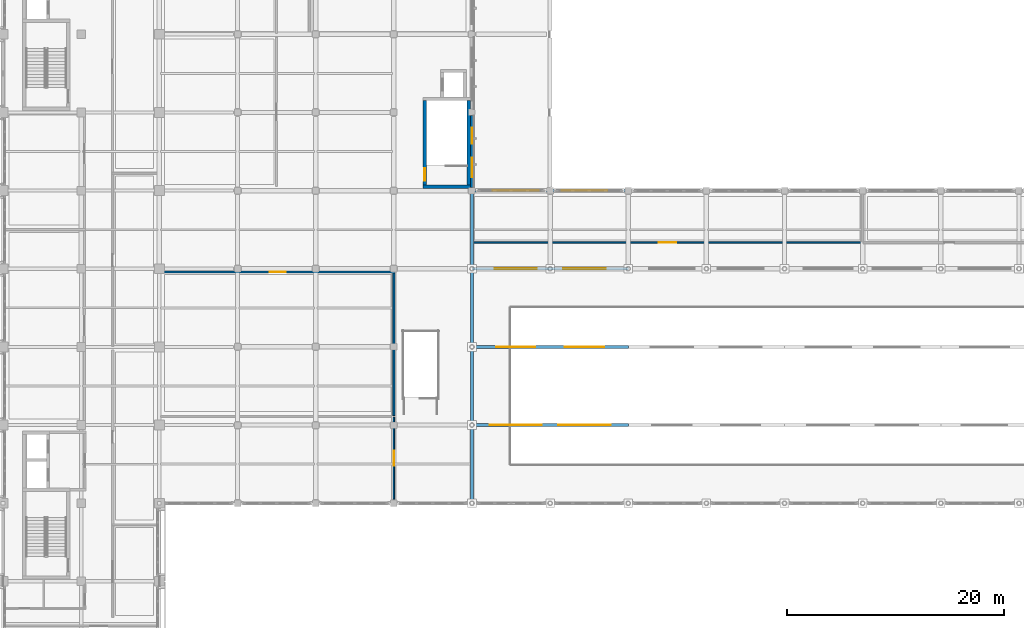
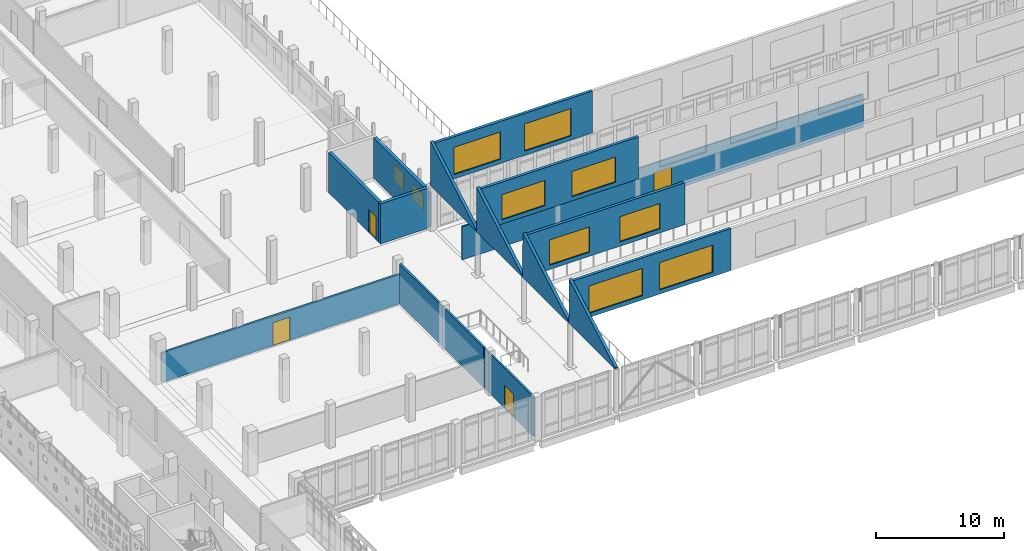
# One storey, part 41 of 62: 16 walls, 10 windows, 4 doors, 14 openings.
"""IFC4 building model written with IfcOpenShell, lengths in metres."""

from ifc_helpers import new_model, si_unit, direction, frame, frame_2d, origin, place, context, subcontext, project, spatial, polyline, rectangle, outline, extrude, material, layer, layer_set, type_object, element, fill, save


model = new_model("IFC4")

# Units and contexts
model_context = context("Model", 3, precision=1e-05, world=origin(), true_north=direction((0.0, 1.0)))
body_context = subcontext(model_context, "Body", "Model", "MODEL_VIEW")
ifc_project = project(units=[si_unit("LENGTHUNIT", "METRE"), si_unit("AREAUNIT", "SQUARE_METRE"), si_unit("VOLUMEUNIT", "CUBIC_METRE"), si_unit("PLANEANGLEUNIT", "RADIAN"), si_unit("MASSUNIT", "GRAM", prefix="KILO")], contexts=[model_context])

# Site, building, storey
site_placement = place(None, origin())
site = spatial("IfcSite", under=ifc_project, at=site_placement, CompositionType="ELEMENT")
building_placement = place(site_placement, origin())
building = spatial("IfcBuilding", under=site, at=building_placement, Name="Valkovuoma Quantum and Materials Research Institute", CompositionType="ELEMENT")
storey_placement = place(building_placement, frame((0.0, 0.0, 13.1201171875)))
storey = spatial("IfcBuildingStorey", under=building, at=storey_placement, Name="L03", CompositionType="ELEMENT", Elevation=13.1201171875)

# Wall
ifc_material_1 = material(Name="Concrete C40/50", Category="concrete")
ifc_layer_1 = layer(ifc_material_1, 0.300048828125)
ifc_layer_set_1 = layer_set([ifc_layer_1], Name="Concrete C40/50")
wall_type_1 = type_object("IfcWallType", Name="Wall-W-COR300", PredefinedType="SHEAR", material=ifc_layer_set_1)
wall_1_placement = place(storey_placement, frame((38.699951171875, 65.14990234375, 0.0), z_axis=(0.0, 0.0, 1.0), x_axis=(1.0, 0.0, 0.0)))
element("IfcWall", 1, at=wall_1_placement, inside=storey, type_object=wall_type_1, Name="L03 core wall 0291", PredefinedType="SHEAR", context=body_context, shape_type="SweptSolid", body=[
    extrude(rectangle(XDim=4.35009765625, YDim=0.300048828125, at=frame_2d((2.175048828125, 0.0))), origin(), (0.0, 0.0, 1.0), 3.809814453125),
])

# Wall, opening, door
wall_2_placement = place(storey_placement, frame((38.85009765625, 65.300048828125, 0.0), z_axis=(0.0, 0.0, 1.0), x_axis=(0.0, 1.0, 0.0)))
wall_2 = element("IfcWall", 2, at=wall_2_placement, inside=storey, type_object=wall_type_1, Name="L03 core wall 0293", PredefinedType="SHEAR", context=body_context, shape_type="SweptSolid", body=[
    extrude(rectangle(XDim=7.800048828125, YDim=0.300048828125, at=frame_2d((3.89990234375, 0.0))), origin(), (0.0, 0.0, 1.0), 3.809814453125),
])
opening_1_placement = place(wall_2_placement, frame((0.39990234375, 0.0, 0.0)))
opening_1 = element("IfcOpeningElement", 3, at=opening_1_placement, cuts=wall_2, Name="Opening SD-046", PredefinedType="OPENING", context=body_context, shape_type="SweptSolid", body=[
    extrude(rectangle(XDim=1.14990234375, YDim=2.199951171875, at=frame_2d((0.574951171875, 1.10009765625))), frame((0.0, 0.16015625, 0.0), z_axis=(0.0, -1.0, 0.0), x_axis=(1.0, 0.0, 0.0)), (0.0, 0.0, 1.0), 0.320068359375),
])
ifc_material_2 = material(Name="Powder-coated steel and acoustic timber door assembly", Category="steel")
door_type_1 = type_object("IfcDoorType", Name="Door-DR-ST60", OperationType="NOTDEFINED", PredefinedType="DOOR", material=ifc_material_2)
door_1_placement = place(opening_1_placement, frame((1.14990234375, 0.0, 0.0), z_axis=(0.0, 0.0, 1.0), x_axis=(-1.0, 0.0, 0.0)))
door_1 = element("IfcDoor", 4, at=door_1_placement, inside=storey, type_object=door_type_1, Name="L03 ST-4 fire door", OperationType="SINGLE_SWING_LEFT", OverallHeight=2.199951171875, OverallWidth=1.14990234375, PredefinedType="DOOR", context=body_context, shape_type="SweptSolid", body=[
    extrude(rectangle(XDim=1.14990234375, YDim=2.199951171875, at=frame_2d((0.574951171875, 1.10009765625))), frame((0.0, 0.02490234375, 0.0), z_axis=(0.0, -1.0, 0.0), x_axis=(1.0, 0.0, 0.0)), (0.0, 0.0, 1.0), 0.050048828125),
])
fill(opening_1, door_1)

# Wall
wall_3_placement = place(storey_placement, frame((42.89990234375, 65.300048828125, 0.0), z_axis=(0.0, 0.0, 1.0), x_axis=(0.0, 1.0, 0.0)))
element("IfcWall", 5, at=wall_3_placement, inside=storey, type_object=wall_type_1, Name="L03 core wall 0294", PredefinedType="SHEAR", context=body_context, shape_type="SweptSolid", body=[
    extrude(rectangle(XDim=7.800048828125, YDim=0.300048828125, at=frame_2d((3.89990234375, 0.0))), origin(), (0.0, 0.0, 1.0), 3.809814453125),
])

# Wall, openings, windows
ifc_material_3 = material(Name="Precast concrete C40/50", Category="concrete")
ifc_layer_2 = layer(ifc_material_3, 0.340087890625)
ifc_layer_set_2 = layer_set([ifc_layer_2], Name="Precast concrete C40/50")
wall_type_2 = type_object("IfcWallType", Name="Wall-W-EXT340", PredefinedType="SOLIDWALL", material=ifc_layer_set_2)
wall_4_placement = place(storey_placement, frame((43.199951171875, 65.090087890625, 0.0), z_axis=(0.0, 0.0, 1.0), x_axis=(0.0, 1.0, 0.0)))
wall_4 = element("IfcWall", 6, at=wall_4_placement, inside=storey, type_object=wall_type_2, Name="L03 exterior wall 0158", PredefinedType="SOLIDWALL", context=body_context, shape_type="SweptSolid", body=[
    extrude(rectangle(XDim=6.619873046875, YDim=0.340087890625, at=frame_2d((3.31005859375, 0.0))), origin(), (0.0, 0.0, 1.0), 3.159912109375),
])
opening_2_placement = place(wall_4_placement, frame((0.95361328125, 0.0, 1.0)))
opening_2 = element("IfcOpeningElement", 7, at=opening_2_placement, cuts=wall_4, Name="Opening WN-CL03", PredefinedType="OPENING", context=body_context, shape_type="SweptSolid", body=[
    extrude(rectangle(XDim=1.800048828125, YDim=1.5, at=frame_2d((0.89990234375, 0.75))), frame((0.0, 0.18017578125, 0.0), z_axis=(0.0, -1.0, 0.0), x_axis=(1.0, 0.0, 0.0)), (0.0, 0.0, 1.0), 0.360107421875),
])
opening_3_placement = place(wall_4_placement, frame((4.016357421875, 0.0, 1.0)))
opening_3 = element("IfcOpeningElement", 8, at=opening_3_placement, cuts=wall_4, Name="Opening WN-CL07", PredefinedType="OPENING", context=body_context, shape_type="SweptSolid", body=[
    extrude(rectangle(XDim=1.5, YDim=1.64990234375, at=frame_2d((0.75, 0.824951171875))), frame((0.0, 0.18017578125, 0.0), z_axis=(0.0, -1.0, 0.0), x_axis=(1.0, 0.0, 0.0)), (0.0, 0.0, 1.0), 0.360107421875),
])
ifc_material_4 = material(Name="Triple low-E argon glazing in thermally broken aluminium frame", Category="aluminium")
window_type_1 = type_object("IfcWindowType", Name="Win-WN-CL03", PartitioningType="SINGLE_PANEL", PredefinedType="WINDOW", material=ifc_material_4)
window_1_placement = place(opening_2_placement, origin())
window_1 = element("IfcWindow", 9, at=window_1_placement, inside=storey, type_object=window_type_1, Name="L03 window 0186", OverallHeight=1.5, OverallWidth=1.800048828125, PartitioningType="SINGLE_PANEL", PredefinedType="WINDOW", context=body_context, shape_type="SweptSolid", body=[
    extrude(rectangle(XDim=1.800048828125, YDim=1.5, at=frame_2d((0.89990234375, 0.75))), frame((0.0, 0.030029296875, 0.0), z_axis=(0.0, -1.0, 0.0), x_axis=(1.0, 0.0, 0.0)), (0.0, 0.0, 1.0), 0.06005859375),
])
fill(opening_2, window_1)
ifc_material_5 = material(Name="Triple low-E argon glazing in thermally broken aluminium frame", Category="aluminium")
window_type_2 = type_object("IfcWindowType", Name="Win-WN-CL07", PartitioningType="SINGLE_PANEL", PredefinedType="WINDOW", material=ifc_material_5)
window_2_placement = place(opening_3_placement, origin())
window_2 = element("IfcWindow", 10, at=window_2_placement, inside=storey, type_object=window_type_2, Name="L03 window 0187", OverallHeight=1.64990234375, OverallWidth=1.5, PartitioningType="SINGLE_PANEL", PredefinedType="WINDOW", context=body_context, shape_type="SweptSolid", body=[
    extrude(rectangle(XDim=1.5, YDim=1.64990234375, at=frame_2d((0.75, 0.824951171875))), frame((0.0, 0.030029296875, 0.0), z_axis=(0.0, -1.0, 0.0), x_axis=(1.0, 0.0, 0.0)), (0.0, 0.0, 1.0), 0.06005859375),
])
fill(opening_3, window_2)

ifc_material_6 = material(Name="Precast concrete C40/50", Category="concrete")
ifc_layer_3 = layer(ifc_material_6, 0.260009765625)
ifc_layer_set_3 = layer_set([ifc_layer_3], Name="Precast concrete C40/50")
wall_type_3 = type_object("IfcWallType", Name="Wall-W-GAB260", PredefinedType="SOLIDWALL", material=ifc_layer_set_3)
wall_5_placement = place(storey_placement, frame((43.199951171875, 43.199951171875, 4.159912109375), z_axis=(0.0, 0.0, 1.0), x_axis=(1.0, 0.0, 0.0)))
wall_5 = element("IfcWall", 11, at=wall_5_placement, inside=storey, type_object=wall_type_3, Name="L03 exterior wall 0400", PredefinedType="SOLIDWALL", context=body_context, shape_type="SweptSolid", body=[
    extrude(rectangle(XDim=14.400146484375, YDim=0.260009765625, at=frame_2d((7.2001953125, 0.0))), origin(), (0.0, 0.0, 1.0), 3.989990234375),
])
opening_4_placement = place(wall_5_placement, frame((1.632080078125, 0.0, 0.39990234375)))
opening_4 = element("IfcOpeningElement", 12, at=opening_4_placement, cuts=wall_5, Name="Opening SKY-03", PredefinedType="OPENING", context=body_context, shape_type="SweptSolid", body=[
    extrude(rectangle(XDim=4.800048828125, YDim=2.60009765625, at=frame_2d((2.39990234375, 1.300048828125))), frame((0.0, 0.14013671875, 0.0), z_axis=(0.0, -1.0, 0.0), x_axis=(1.0, 0.0, 0.0)), (0.0, 0.0, 1.0), 0.280029296875),
])
opening_5_placement = place(wall_5_placement, frame((7.968017578125, 0.0, 0.39990234375)))
opening_5 = element("IfcOpeningElement", 13, at=opening_5_placement, cuts=wall_5, Name="Opening SKY-03", PredefinedType="OPENING", context=body_context, shape_type="SweptSolid", body=[
    extrude(rectangle(XDim=4.800048828125, YDim=2.60009765625, at=frame_2d((2.39990234375, 1.300048828125))), frame((0.0, 0.14013671875, 0.0), z_axis=(0.0, -1.0, 0.0), x_axis=(1.0, 0.0, 0.0)), (0.0, 0.0, 1.0), 0.280029296875),
])
ifc_material_7 = material(Name="Triple low-E laminated safety glass skylight", Category="glass")
window_type_3 = type_object("IfcWindowType", Name="Win-SKY-03", PartitioningType="SINGLE_PANEL", PredefinedType="SKYLIGHT", material=ifc_material_7)
window_3_placement = place(opening_4_placement, origin())
window_3 = element("IfcWindow", 14, at=window_3_placement, inside=storey, type_object=window_type_3, Name="L03 window 0397", OverallHeight=2.60009765625, OverallWidth=4.800048828125, PartitioningType="SINGLE_PANEL", PredefinedType="SKYLIGHT", context=body_context, shape_type="SweptSolid", body=[
    extrude(rectangle(XDim=4.800048828125, YDim=2.60009765625, at=frame_2d((2.39990234375, 1.300048828125))), frame((0.0, 0.030029296875, 0.0), z_axis=(0.0, -1.0, 0.0), x_axis=(1.0, 0.0, 0.0)), (0.0, 0.0, 1.0), 0.06005859375),
])
fill(opening_4, window_3)
window_4_placement = place(opening_5_placement, origin())
window_4 = element("IfcWindow", 15, at=window_4_placement, inside=storey, type_object=window_type_3, Name="L03 window 0398", OverallHeight=2.60009765625, OverallWidth=4.800048828125, PartitioningType="SINGLE_PANEL", PredefinedType="SKYLIGHT", context=body_context, shape_type="SweptSolid", body=[
    extrude(rectangle(XDim=4.800048828125, YDim=2.60009765625, at=frame_2d((2.39990234375, 1.300048828125))), frame((0.0, 0.030029296875, 0.0), z_axis=(0.0, -1.0, 0.0), x_axis=(1.0, 0.0, 0.0)), (0.0, 0.0, 1.0), 0.06005859375),
])
fill(opening_5, window_4)

# Wall
wall_6_placement = place(storey_placement, frame((43.199951171875, 36.0, 4.159912109375), z_axis=(0.0, 0.0, 1.0), x_axis=(0.0, 1.0, 0.0)))
element("IfcWall", 16, at=wall_6_placement, inside=storey, type_object=wall_type_3, Name="L03 VOL2 sawtooth cheek wall 1W", PredefinedType="SOLIDWALL", context=body_context, shape_type="SweptSolid", body=[
    extrude(outline(polyline([(0.0, 0.0), (7.199951171875, 0.0), (7.199951171875, 0.119873046875), (7.159912109375, 4.239990234375), (0.0, 0.119873046875), (0.0, 0.0)])), frame((0.0, 0.1298828125, 0.0), z_axis=(0.0, -1.0, 0.0), x_axis=(1.0, 0.0, 0.0)), (0.0, 0.0, 1.0), 0.260009765625),
])

# Wall, openings, windows
wall_7_placement = place(storey_placement, frame((43.199951171875, 50.39990234375, 4.159912109375), z_axis=(0.0, 0.0, 1.0), x_axis=(1.0, 0.0, 0.0)))
wall_7 = element("IfcWall", 17, at=wall_7_placement, inside=storey, type_object=wall_type_3, Name="L03 exterior wall 0406", PredefinedType="SOLIDWALL", context=body_context, shape_type="SweptSolid", body=[
    extrude(rectangle(XDim=14.400146484375, YDim=0.260009765625, at=frame_2d((7.2001953125, 0.0))), origin(), (0.0, 0.0, 1.0), 3.989990234375),
])
opening_6_placement = place(wall_7_placement, frame((2.23193359375, 0.0, 0.39990234375)))
opening_6 = element("IfcOpeningElement", 18, at=opening_6_placement, cuts=wall_7, Name="Opening SKY-04", PredefinedType="OPENING", context=body_context, shape_type="SweptSolid", body=[
    extrude(rectangle(XDim=3.60009765625, YDim=2.39990234375, at=frame_2d((1.800048828125, 1.199951171875))), frame((0.0, 0.14013671875, 0.0), z_axis=(0.0, -1.0, 0.0), x_axis=(1.0, 0.0, 0.0)), (0.0, 0.0, 1.0), 0.280029296875),
])
opening_7_placement = place(wall_7_placement, frame((8.568115234375, 0.0, 0.39990234375)))
opening_7 = element("IfcOpeningElement", 19, at=opening_7_placement, cuts=wall_7, Name="Opening SKY-04", PredefinedType="OPENING", context=body_context, shape_type="SweptSolid", body=[
    extrude(rectangle(XDim=3.60009765625, YDim=2.39990234375, at=frame_2d((1.800048828125, 1.199951171875))), frame((0.0, 0.14013671875, 0.0), z_axis=(0.0, -1.0, 0.0), x_axis=(1.0, 0.0, 0.0)), (0.0, 0.0, 1.0), 0.280029296875),
])
ifc_material_8 = material(Name="Triple low-E laminated safety glass skylight", Category="glass")
window_type_4 = type_object("IfcWindowType", Name="Win-SKY-04", PartitioningType="SINGLE_PANEL", PredefinedType="SKYLIGHT", material=ifc_material_8)
window_5_placement = place(opening_6_placement, origin())
window_5 = element("IfcWindow", 20, at=window_5_placement, inside=storey, type_object=window_type_4, Name="L03 window 0405", OverallHeight=2.39990234375, OverallWidth=3.60009765625, PartitioningType="SINGLE_PANEL", PredefinedType="SKYLIGHT", context=body_context, shape_type="SweptSolid", body=[
    extrude(rectangle(XDim=3.60009765625, YDim=2.39990234375, at=frame_2d((1.800048828125, 1.199951171875))), frame((0.0, 0.030029296875, 0.0), z_axis=(0.0, -1.0, 0.0), x_axis=(1.0, 0.0, 0.0)), (0.0, 0.0, 1.0), 0.06005859375),
])
fill(opening_6, window_5)
window_6_placement = place(opening_7_placement, origin())
window_6 = element("IfcWindow", 21, at=window_6_placement, inside=storey, type_object=window_type_4, Name="L03 window 0406", OverallHeight=2.39990234375, OverallWidth=3.60009765625, PartitioningType="SINGLE_PANEL", PredefinedType="SKYLIGHT", context=body_context, shape_type="SweptSolid", body=[
    extrude(rectangle(XDim=3.60009765625, YDim=2.39990234375, at=frame_2d((1.800048828125, 1.199951171875))), frame((0.0, 0.030029296875, 0.0), z_axis=(0.0, -1.0, 0.0), x_axis=(1.0, 0.0, 0.0)), (0.0, 0.0, 1.0), 0.06005859375),
])
fill(opening_7, window_6)

# Wall
wall_8_placement = place(storey_placement, frame((43.199951171875, 43.199951171875, 4.159912109375), z_axis=(0.0, 0.0, 1.0), x_axis=(0.0, 1.0, 0.0)))
element("IfcWall", 22, at=wall_8_placement, inside=storey, type_object=wall_type_3, Name="L03 VOL2 sawtooth cheek wall 2W", PredefinedType="SOLIDWALL", context=body_context, shape_type="SweptSolid", body=[
    extrude(outline(polyline([(0.0, 0.0), (7.199951171875, 0.0), (7.199951171875, 0.119873046875), (7.159912109375, 4.239990234375), (0.0, 0.119873046875), (0.0, 0.0)])), frame((0.0, 0.1298828125, 0.0), z_axis=(0.0, -1.0, 0.0), x_axis=(1.0, 0.0, 0.0)), (0.0, 0.0, 1.0), 0.260009765625),
])

# Wall, openings, windows
wall_9_placement = place(storey_placement, frame((43.199951171875, 57.60009765625, 4.159912109375), z_axis=(0.0, 0.0, 1.0), x_axis=(1.0, 0.0, 0.0)))
wall_9 = element("IfcWall", 23, at=wall_9_placement, inside=storey, type_object=wall_type_3, Name="L03 exterior wall 0412", PredefinedType="SOLIDWALL", context=body_context, shape_type="SweptSolid", body=[
    extrude(rectangle(XDim=14.400146484375, YDim=0.260009765625, at=frame_2d((7.2001953125, 0.0))), origin(), (0.0, 0.0, 1.0), 3.989990234375),
])
opening_8_placement = place(wall_9_placement, frame((2.08203125, 0.0, 0.39990234375)))
opening_8 = element("IfcOpeningElement", 24, at=opening_8_placement, cuts=wall_9, Name="Opening SKY-05", PredefinedType="OPENING", context=body_context, shape_type="SweptSolid", body=[
    extrude(rectangle(XDim=3.89990234375, YDim=2.39990234375, at=frame_2d((1.949951171875, 1.199951171875))), frame((0.0, 0.14013671875, 0.0), z_axis=(0.0, -1.0, 0.0), x_axis=(1.0, 0.0, 0.0)), (0.0, 0.0, 1.0), 0.280029296875),
])
opening_9_placement = place(wall_9_placement, frame((8.41796875, 0.0, 0.39990234375)))
opening_9 = element("IfcOpeningElement", 25, at=opening_9_placement, cuts=wall_9, Name="Opening SKY-05", PredefinedType="OPENING", context=body_context, shape_type="SweptSolid", body=[
    extrude(rectangle(XDim=3.89990234375, YDim=2.39990234375, at=frame_2d((1.949951171875, 1.199951171875))), frame((0.0, 0.14013671875, 0.0), z_axis=(0.0, -1.0, 0.0), x_axis=(1.0, 0.0, 0.0)), (0.0, 0.0, 1.0), 0.280029296875),
])
ifc_material_9 = material(Name="Triple low-E laminated safety glass skylight", Category="glass")
window_type_5 = type_object("IfcWindowType", Name="Win-SKY-05", PartitioningType="SINGLE_PANEL", PredefinedType="SKYLIGHT", material=ifc_material_9)
window_7_placement = place(opening_8_placement, origin())
window_7 = element("IfcWindow", 26, at=window_7_placement, inside=storey, type_object=window_type_5, Name="L03 window 0413", OverallHeight=2.39990234375, OverallWidth=3.89990234375, PartitioningType="SINGLE_PANEL", PredefinedType="SKYLIGHT", context=body_context, shape_type="SweptSolid", body=[
    extrude(rectangle(XDim=3.89990234375, YDim=2.39990234375, at=frame_2d((1.949951171875, 1.199951171875))), frame((0.0, 0.030029296875, 0.0), z_axis=(0.0, -1.0, 0.0), x_axis=(1.0, 0.0, 0.0)), (0.0, 0.0, 1.0), 0.06005859375),
])
fill(opening_8, window_7)
window_8_placement = place(opening_9_placement, origin())
window_8 = element("IfcWindow", 27, at=window_8_placement, inside=storey, type_object=window_type_5, Name="L03 window 0414", OverallHeight=2.39990234375, OverallWidth=3.89990234375, PartitioningType="SINGLE_PANEL", PredefinedType="SKYLIGHT", context=body_context, shape_type="SweptSolid", body=[
    extrude(rectangle(XDim=3.89990234375, YDim=2.39990234375, at=frame_2d((1.949951171875, 1.199951171875))), frame((0.0, 0.030029296875, 0.0), z_axis=(0.0, -1.0, 0.0), x_axis=(1.0, 0.0, 0.0)), (0.0, 0.0, 1.0), 0.06005859375),
])
fill(opening_9, window_8)

# Wall
wall_10_placement = place(storey_placement, frame((43.199951171875, 50.39990234375, 4.159912109375), z_axis=(0.0, 0.0, 1.0), x_axis=(0.0, 1.0, 0.0)))
element("IfcWall", 28, at=wall_10_placement, inside=storey, type_object=wall_type_3, Name="L03 VOL2 sawtooth cheek wall 3W", PredefinedType="SOLIDWALL", context=body_context, shape_type="SweptSolid", body=[
    extrude(outline(polyline([(0.0, 0.0), (7.2001953125, 0.0), (7.199951171875, 0.119873046875), (7.159912109375, 4.239990234375), (0.0, 0.119873046875), (0.0, 0.0)])), frame((0.0, 0.1298828125, 0.0), z_axis=(0.0, -1.0, 0.0), x_axis=(1.0, 0.0, 0.0)), (0.0, 0.0, 1.0), 0.260009765625),
])

# Wall, openings, windows
wall_11_placement = place(storey_placement, frame((43.199951171875, 64.800048828125, 4.159912109375), z_axis=(0.0, 0.0, 1.0), x_axis=(1.0, 0.0, 0.0)))
wall_11 = element("IfcWall", 29, at=wall_11_placement, inside=storey, type_object=wall_type_3, Name="L03 exterior wall 0418", PredefinedType="SOLIDWALL", context=body_context, shape_type="SweptSolid", body=[
    extrude(rectangle(XDim=14.400146484375, YDim=0.260009765625, at=frame_2d((7.2001953125, 0.0))), origin(), (0.0, 0.0, 1.0), 3.989990234375),
])
opening_10_placement = place(wall_11_placement, frame((1.931884765625, 0.0, 0.39990234375)))
opening_10 = element("IfcOpeningElement", 30, at=opening_10_placement, cuts=wall_11, Name="Opening SKY-01", PredefinedType="OPENING", context=body_context, shape_type="SweptSolid", body=[
    extrude(rectangle(XDim=4.199951171875, YDim=2.60009765625, at=frame_2d((2.10009765625, 1.300048828125))), frame((0.0, 0.14013671875, 0.0), z_axis=(0.0, -1.0, 0.0), x_axis=(1.0, 0.0, 0.0)), (0.0, 0.0, 1.0), 0.280029296875),
])
opening_11_placement = place(wall_11_placement, frame((8.26806640625, 0.0, 0.39990234375)))
opening_11 = element("IfcOpeningElement", 31, at=opening_11_placement, cuts=wall_11, Name="Opening SKY-01", PredefinedType="OPENING", context=body_context, shape_type="SweptSolid", body=[
    extrude(rectangle(XDim=4.199951171875, YDim=2.60009765625, at=frame_2d((2.10009765625, 1.300048828125))), frame((0.0, 0.14013671875, 0.0), z_axis=(0.0, -1.0, 0.0), x_axis=(1.0, 0.0, 0.0)), (0.0, 0.0, 1.0), 0.280029296875),
])
ifc_material_10 = material(Name="Triple low-E laminated safety glass skylight", Category="glass")
window_type_6 = type_object("IfcWindowType", Name="Win-SKY-01", PartitioningType="SINGLE_PANEL", PredefinedType="SKYLIGHT", material=ifc_material_10)
window_9_placement = place(opening_10_placement, origin())
window_9 = element("IfcWindow", 32, at=window_9_placement, inside=storey, type_object=window_type_6, Name="L03 window 0421", OverallHeight=2.60009765625, OverallWidth=4.199951171875, PartitioningType="SINGLE_PANEL", PredefinedType="SKYLIGHT", context=body_context, shape_type="SweptSolid", body=[
    extrude(rectangle(XDim=4.199951171875, YDim=2.60009765625, at=frame_2d((2.10009765625, 1.300048828125))), frame((0.0, 0.030029296875, 0.0), z_axis=(0.0, -1.0, 0.0), x_axis=(1.0, 0.0, 0.0)), (0.0, 0.0, 1.0), 0.06005859375),
])
fill(opening_10, window_9)
window_10_placement = place(opening_11_placement, origin())
window_10 = element("IfcWindow", 33, at=window_10_placement, inside=storey, type_object=window_type_6, Name="L03 window 0422", OverallHeight=2.60009765625, OverallWidth=4.199951171875, PartitioningType="SINGLE_PANEL", PredefinedType="SKYLIGHT", context=body_context, shape_type="SweptSolid", body=[
    extrude(rectangle(XDim=4.199951171875, YDim=2.60009765625, at=frame_2d((2.10009765625, 1.300048828125))), frame((0.0, 0.030029296875, 0.0), z_axis=(0.0, -1.0, 0.0), x_axis=(1.0, 0.0, 0.0)), (0.0, 0.0, 1.0), 0.06005859375),
])
fill(opening_11, window_10)

# Wall
wall_12_placement = place(storey_placement, frame((43.199951171875, 57.60009765625, 4.159912109375), z_axis=(0.0, 0.0, 1.0), x_axis=(0.0, 1.0, 0.0)))
element("IfcWall", 34, at=wall_12_placement, inside=storey, type_object=wall_type_3, Name="L03 VOL2 sawtooth cheek wall 4W", PredefinedType="SOLIDWALL", context=body_context, shape_type="SweptSolid", body=[
    extrude(outline(polyline([(0.0, 0.0), (7.199951171875, 0.0), (7.199951171875, 0.119873046875), (7.159912109375, 4.239990234375), (0.0, 0.119873046875), (0.0, 0.0)])), frame((0.0, 0.1298828125, 0.0), z_axis=(0.0, -1.0, 0.0), x_axis=(1.0, 0.0, 0.0)), (0.0, 0.0, 1.0), 0.260009765625),
])

# Wall, opening, door
ifc_material_11 = material(Name="Interior office stud partition", Category="masonry")
ifc_layer_4 = layer(ifc_material_11, 0.135009765625)
ifc_layer_set_4 = layer_set([ifc_layer_4], Name="Interior office stud partition")
wall_type_4 = type_object("IfcWallType", Name="Wall-W-PRT135", PredefinedType="PARTITIONING", material=ifc_layer_set_4)
wall_13_placement = place(storey_placement, frame((43.132568359375, 60.0, 0.0), z_axis=(0.0, 0.0, 1.0), x_axis=(1.0, 0.0, 0.0)))
wall_13 = element("IfcWall", 35, at=wall_13_placement, inside=storey, type_object=wall_type_4, Name="L03 partition 0159", PredefinedType="PARTITIONING", context=body_context, shape_type="SweptSolid", body=[
    extrude(rectangle(XDim=36.135009765625, YDim=0.135009765625, at=frame_2d((18.0673828125, 0.0))), origin(), (0.0, 0.0, 1.0), 3.159912109375),
])
opening_12_placement = place(wall_13_placement, frame((17.267578125, 0.0, 0.0)))
opening_12 = element("IfcOpeningElement", 36, at=opening_12_placement, cuts=wall_13, Name="Opening ID-0114", PredefinedType="OPENING", context=body_context, shape_type="SweptSolid", body=[
    extrude(rectangle(XDim=1.60009765625, YDim=2.25, at=frame_2d((0.800048828125, 1.125))), frame((0.0, 0.07763671875, 0.0), z_axis=(0.0, -1.0, 0.0), x_axis=(1.0, 0.0, 0.0)), (0.0, 0.0, 1.0), 0.155029296875),
])
ifc_material_12 = material(Name="Powder-coated steel and acoustic timber door assembly", Category="steel")
door_type_2 = type_object("IfcDoorType", Name="Door-DR-LB06", OperationType="NOTDEFINED", PredefinedType="DOOR", material=ifc_material_12)
door_2_placement = place(opening_12_placement, origin())
door_2 = element("IfcDoor", 37, at=door_2_placement, inside=storey, type_object=door_type_2, Name="L03 room door 0114", OperationType="DOUBLE_DOOR_SINGLE_SWING", OverallHeight=2.25, OverallWidth=1.60009765625, PredefinedType="DOOR", context=body_context, shape_type="SweptSolid", body=[
    extrude(rectangle(XDim=1.60009765625, YDim=2.25, at=frame_2d((0.800048828125, 1.125))), frame((0.0, 0.02490234375, 0.0), z_axis=(0.0, -1.0, 0.0), x_axis=(1.0, 0.0, 0.0)), (0.0, 0.0, 1.0), 0.050048828125),
])
fill(opening_12, door_2)

ifc_material_13 = material(Name="Acoustic write-up studio partition", Category="masonry")
ifc_layer_5 = layer(ifc_material_13, 0.14990234375)
ifc_layer_set_5 = layer_set([ifc_layer_5], Name="Acoustic write-up studio partition")
wall_type_5 = type_object("IfcWallType", Name="Wall-W-PRT150", PredefinedType="PARTITIONING", material=ifc_layer_set_5)
wall_14_placement = place(storey_placement, frame((36.0, 36.375, 0.0), z_axis=(0.0, 0.0, 1.0), x_axis=(0.0, 1.0, 0.0)))
wall_14 = element("IfcWall", 38, at=wall_14_placement, inside=storey, type_object=wall_type_5, Name="L03 partition 0156", PredefinedType="PARTITIONING", context=body_context, shape_type="SweptSolid", body=[
    extrude(rectangle(XDim=7.550048828125, YDim=0.14990234375, at=frame_2d((3.77490234375, 0.0))), origin(), (0.0, 0.0, 1.0), 3.809814453125),
])
opening_13_placement = place(wall_14_placement, frame((3.074951171875, 0.0, 0.0)))
opening_13 = element("IfcOpeningElement", 39, at=opening_13_placement, cuts=wall_14, Name="Opening ID-0112", PredefinedType="OPENING", context=body_context, shape_type="SweptSolid", body=[
    extrude(rectangle(XDim=1.39990234375, YDim=2.199951171875, at=frame_2d((0.699951171875, 1.10009765625))), frame((0.0, 0.0849609375, 0.0), z_axis=(0.0, -1.0, 0.0), x_axis=(1.0, 0.0, 0.0)), (0.0, 0.0, 1.0), 0.169921875),
])
ifc_material_14 = material(Name="Powder-coated steel and acoustic timber door assembly", Category="steel")
door_type_3 = type_object("IfcDoorType", Name="Door-DR-LB04", OperationType="NOTDEFINED", PredefinedType="DOOR", material=ifc_material_14)
door_3_placement = place(opening_13_placement, origin())
door_3 = element("IfcDoor", 40, at=door_3_placement, inside=storey, type_object=door_type_3, Name="L03 room door 0112", OperationType="SINGLE_SWING_LEFT", OverallHeight=2.199951171875, OverallWidth=1.39990234375, PredefinedType="DOOR", context=body_context, shape_type="SweptSolid", body=[
    extrude(rectangle(XDim=1.39990234375, YDim=2.199951171875, at=frame_2d((0.699951171875, 1.10009765625))), frame((0.0, 0.02490234375, 0.0), z_axis=(0.0, -1.0, 0.0), x_axis=(1.0, 0.0, 0.0)), (0.0, 0.0, 1.0), 0.050048828125),
])
fill(opening_13, door_3)

ifc_material_15 = material(Name="Laboratory fire-rated gypsum partition", Category="masonry")
ifc_layer_6 = layer(ifc_material_15, 0.179931640625)
ifc_layer_set_6 = layer_set([ifc_layer_6], Name="Laboratory fire-rated gypsum partition")
wall_type_6 = type_object("IfcWallType", Name="Wall-W-PRT180", PredefinedType="PARTITIONING", material=ifc_layer_set_6)
wall_15_placement = place(storey_placement, frame((14.510009765625, 57.300048828125, 0.0), z_axis=(0.0, 0.0, 1.0), x_axis=(1.0, 0.0, 0.0)))
wall_15 = element("IfcWall", 41, at=wall_15_placement, inside=storey, type_object=wall_type_6, Name="L03 partition 0157", PredefinedType="PARTITIONING", context=body_context, shape_type="SweptSolid", body=[
    extrude(rectangle(XDim=21.580078125, YDim=0.179931640625, at=frame_2d((10.7900390625, 0.0))), origin(), (0.0, 0.0, 1.0), 2.809814453125),
])
opening_14_placement = place(wall_15_placement, frame((10.0400390625, 0.0, 0.0)))
opening_14 = element("IfcOpeningElement", 42, at=opening_14_placement, cuts=wall_15, Name="Opening ID-0113", PredefinedType="OPENING", context=body_context, shape_type="SweptSolid", body=[
    extrude(rectangle(XDim=1.5, YDim=2.199951171875, at=frame_2d((0.75, 1.10009765625))), frame((0.0, 0.10009765625, 0.0), z_axis=(0.0, -1.0, 0.0), x_axis=(1.0, 0.0, 0.0)), (0.0, 0.0, 1.0), 0.199951171875),
])
ifc_material_16 = material(Name="Powder-coated steel and acoustic timber door assembly", Category="steel")
door_type_4 = type_object("IfcDoorType", Name="Door-DR-LB05", OperationType="NOTDEFINED", PredefinedType="DOOR", material=ifc_material_16)
door_4_placement = place(opening_14_placement, origin())
door_4 = element("IfcDoor", 43, at=door_4_placement, inside=storey, type_object=door_type_4, Name="L03 room door 0113", OperationType="SINGLE_SWING_RIGHT", OverallHeight=2.199951171875, OverallWidth=1.5, PredefinedType="DOOR", context=body_context, shape_type="SweptSolid", body=[
    extrude(rectangle(XDim=1.5, YDim=2.199951171875, at=frame_2d((0.75, 1.10009765625))), frame((0.0, 0.02490234375, 0.0), z_axis=(0.0, -1.0, 0.0), x_axis=(1.0, 0.0, 0.0)), (0.0, 0.0, 1.0), 0.050048828125),
])
fill(opening_14, door_4)

# Wall
wall_16_placement = place(storey_placement, frame((36.0, 44.074951171875, 0.0), z_axis=(0.0, 0.0, 1.0), x_axis=(0.0, 1.0, 0.0)))
element("IfcWall", 44, at=wall_16_placement, inside=storey, type_object=wall_type_6, Name="L03 partition 0158", PredefinedType="PARTITIONING", context=body_context, shape_type="SweptSolid", body=[
    extrude(rectangle(XDim=13.135009765625, YDim=0.179931640625, at=frame_2d((6.5673828125, 0.0))), origin(), (0.0, 0.0, 1.0), 3.809814453125),
])

save(model, "model.ifc")
